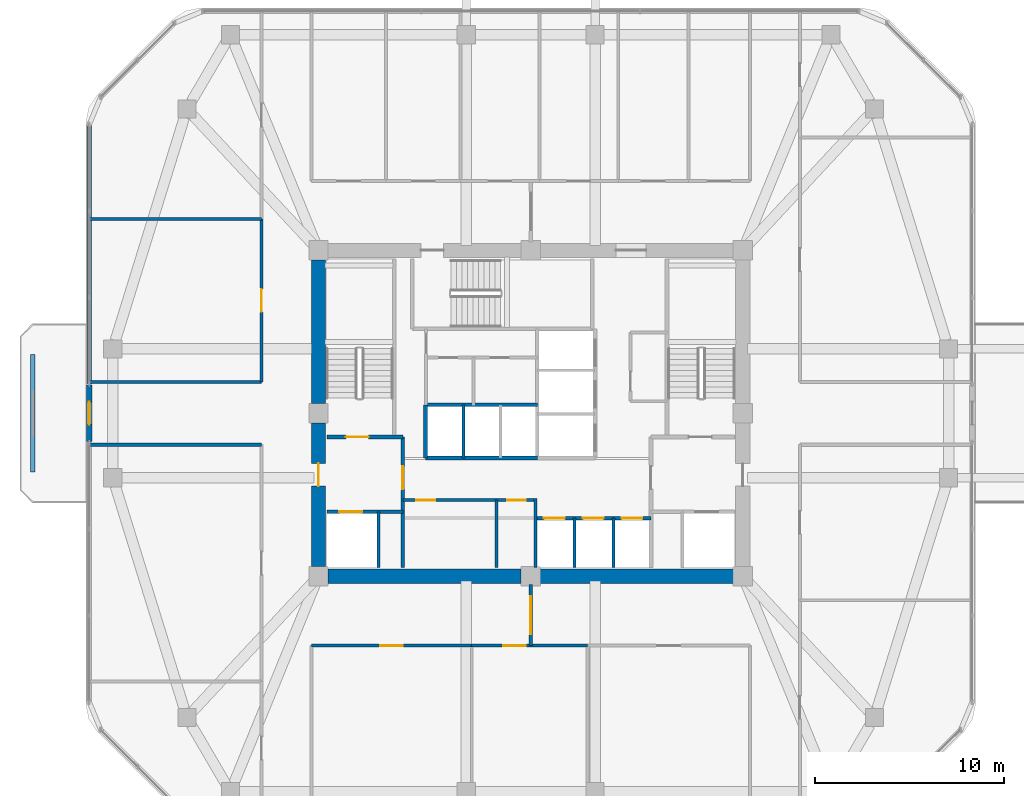
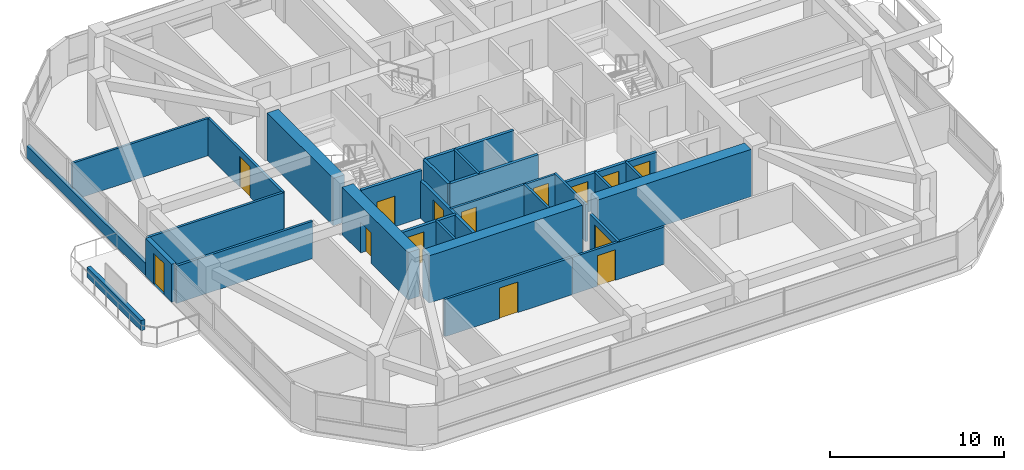
# One storey, part 8 of 13: 28 walls, 14 doors, 14 openings.
"""IFC4 building model written with IfcOpenShell, lengths in metres."""

from ifc_helpers import new_model, si_unit, derived_unit, direction, frame, frame_2d, origin, place, context, subcontext, project, spatial, rectangle, extrude, material, layer, layer_set, type_object, element, fill, save


model = new_model("IFC4")

# Units and contexts
model_context = context("Model", 3, precision=1e-05, world=origin(), true_north=direction((0.0, 1.0)))
body_context = subcontext(model_context, "Body", "Model", "MODEL_VIEW")
ifc_project = project(units=[si_unit("LENGTHUNIT", "METRE"), si_unit("AREAUNIT", "SQUARE_METRE"), si_unit("VOLUMEUNIT", "CUBIC_METRE"), si_unit("PLANEANGLEUNIT", "RADIAN"), si_unit("MASSUNIT", "GRAM", prefix="KILO"), derived_unit("THERMALTRANSMITTANCEUNIT", [(si_unit("POWERUNIT", "WATT"), 1), (si_unit("LENGTHUNIT", "METRE"), -2), (si_unit("THERMODYNAMICTEMPERATUREUNIT", "KELVIN"), -1)])], contexts=[model_context])

# Site, building, storey
site_placement = place(None, origin())
site = spatial("IfcSite", under=ifc_project, at=site_placement, CompositionType="ELEMENT")
building_placement = place(site_placement, origin())
building = spatial("IfcBuilding", under=site, at=building_placement, Name="Koralith Skygarden Medical Center", CompositionType="ELEMENT")
storey_placement = place(building_placement, frame((0.0, 0.0, 156.419921875)))
storey = spatial("IfcBuildingStorey", under=building, at=storey_placement, Name="L40", CompositionType="ELEMENT", Elevation=156.419921875)

# Wall, openings, doors
ifc_material_1 = material(Name="Gypsum Board Partition")
ifc_layer_1 = layer(ifc_material_1, 0.14990234375)
ifc_layer_set_1 = layer_set([ifc_layer_1], Name="Gypsum Board Partition")
wall_type_1 = type_object("IfcWallType", Name="Clinical Acoustic Partition 150", PredefinedType="PARTITIONING", material=ifc_layer_set_1)
wall_1_placement = place(storey_placement, frame((30.25, 21.320068359375, 0.0), z_axis=(0.0, 0.0, 1.0), x_axis=(1.0, 0.0, 0.0)))
wall_1 = element("IfcWall", 1, at=wall_1_placement, inside=storey, type_object=wall_type_1, Name="L40 Clinical Acoustic Partition 150 W-CORE-L40-FREED-LR-N", PredefinedType="PARTITIONING", context=body_context, shape_type="SweptSolid", body=[
    extrude(rectangle(XDim=7.0, YDim=0.14990234375, at=frame_2d((3.5, 0.0))), origin(), (0.0, 0.0, 1.0), 2.610107421875),
])
opening_1_placement = place(wall_1_placement, frame((0.699951171875, 0.0, 0.0)))
opening_1 = element("IfcOpeningElement", 2, at=opening_1_placement, cuts=wall_1, Name="Opening D-SUP", PredefinedType="OPENING", context=body_context, shape_type="SweptSolid", body=[
    extrude(rectangle(XDim=1.0, YDim=2.14990234375, at=frame_2d((0.5, 1.074951171875))), frame((0.0, 0.0849609375, 0.0), z_axis=(0.0, -1.0, 0.0), x_axis=(1.0, 0.0, 0.0)), (0.0, 0.0, 1.0), 0.169921875),
])
opening_2_placement = place(wall_1_placement, frame((5.5, 0.0, 0.0)))
opening_2 = element("IfcOpeningElement", 3, at=opening_2_placement, cuts=wall_1, Name="Opening D-SUP", PredefinedType="OPENING", context=body_context, shape_type="SweptSolid", body=[
    extrude(rectangle(XDim=1.0, YDim=2.14990234375, at=frame_2d((0.5, 1.074951171875))), frame((0.0, 0.0849609375, 0.0), z_axis=(0.0, -1.0, 0.0), x_axis=(1.0, 0.0, 0.0)), (0.0, 0.0, 1.0), 0.169921875),
])
ifc_material_2 = material(Name="Aluminium 6063-T6", Category="aluminium")
door_type_1 = type_object("IfcDoorType", Name="Clinical Support Door D-SUP 1000", OperationType="NOTDEFINED", PredefinedType="DOOR", material=ifc_material_2)
door_1_placement = place(opening_1_placement, frame((1.0, 0.0, 0.0), z_axis=(0.0, 0.0, 1.0), x_axis=(-1.0, 0.0, 0.0)))
door_1 = element("IfcDoor", 4, at=door_1_placement, inside=storey, type_object=door_type_1, Name="L40 Medication Preparation Door", OperationType="SINGLE_SWING_LEFT", OverallHeight=2.14990234375, OverallWidth=1.0, PredefinedType="DOOR", context=body_context, shape_type="SweptSolid", body=[
    extrude(rectangle(XDim=1.0, YDim=2.14990234375, at=frame_2d((0.5, 1.074951171875))), frame((0.0, 0.02490234375, 0.0), z_axis=(0.0, -1.0, 0.0), x_axis=(1.0, 0.0, 0.0)), (0.0, 0.0, 1.0), 0.050048828125),
])
fill(opening_1, door_1)
door_2_placement = place(opening_2_placement, frame((1.0, 0.0, 0.0), z_axis=(0.0, 0.0, 1.0), x_axis=(-1.0, 0.0, 0.0)))
door_2 = element("IfcDoor", 5, at=door_2_placement, inside=storey, type_object=door_type_1, Name="L40 Telemetry Room Door", OperationType="SINGLE_SWING_RIGHT", OverallHeight=2.14990234375, OverallWidth=1.0, PredefinedType="DOOR", context=body_context, shape_type="SweptSolid", body=[
    extrude(rectangle(XDim=1.0, YDim=2.14990234375, at=frame_2d((0.5, 1.074951171875))), frame((0.0, 0.02490234375, 0.0), z_axis=(0.0, -1.0, 0.0), x_axis=(1.0, 0.0, 0.0)), (0.0, 0.0, 1.0), 0.050048828125),
])
fill(opening_2, door_2)

# Walls
wall_2_placement = place(storey_placement, frame((35.199951171875, 17.75, 0.0), z_axis=(0.0, 0.0, 1.0), x_axis=(0.0, 1.0, 0.0)))
element("IfcWall", 6, at=wall_2_placement, inside=storey, type_object=wall_type_1, Name="L40 Clinical Acoustic Partition 150 W-CORE-L40-FREED-LR-M", PredefinedType="PARTITIONING", context=body_context, shape_type="SweptSolid", body=[
    extrude(rectangle(XDim=3.570068359375, YDim=0.14990234375, at=frame_2d((1.78515625, 0.0))), origin(), (0.0, 0.0, 1.0), 2.610107421875),
])
wall_3_placement = place(storey_placement, frame((22.7900390625, 36.157958984375, 0.0), z_axis=(0.0, 0.0, 1.0), x_axis=(-1.0, 0.0, 0.0)))
element("IfcWall", 7, at=wall_3_placement, inside=storey, type_object=wall_type_1, Name="L40 Clinical Acoustic Partition 150 W-PART-L40-WN-01", PredefinedType="PARTITIONING", context=body_context, shape_type="SweptSolid", body=[
    extrude(rectangle(XDim=9.073974609375, YDim=0.14990234375, at=frame_2d((4.537109375, 0.0))), origin(), (0.0, 0.0, 1.0), 2.610107421875),
])
ifc_layer_2 = layer(ifc_material_1, 0.1650390625)
ifc_layer_set_2 = layer_set([ifc_layer_2], Name="Gypsum Board Partition")
wall_type_2 = type_object("IfcWallType", Name="Clinical Corridor Partition 165", PredefinedType="PARTITIONING", material=ifc_layer_set_2)
for number, where, z_axis, x_axis, name in (
    (8, (13.716064453125, 24.239990234375, 0.0), (0.0, 0.0, 1.0), (1.0, 0.0, 0.0), "L40 Clinical Corridor Partition 165 W-HCOR-L40-EWS-W"),
    (9, (13.716064453125, 27.56005859375, 0.0), (0.0, 0.0, 1.0), (1.0, 0.0, 0.0), "L40 Clinical Corridor Partition 165 W-HCOR-L40-EWN-W"),
):
    element("IfcWall", number, at=place(storey_placement, frame(where, z_axis=z_axis, x_axis=x_axis)), inside=storey, type_object=wall_type_2, Name=name, PredefinedType="PARTITIONING", context=body_context, shape_type="SweptSolid", body=[
        extrude(rectangle(XDim=9.073974609375, YDim=0.1650390625, at=frame_2d((4.537109375, 0.0))), origin(), (0.0, 0.0, 1.0), 2.610107421875),
    ])

# Wall, opening, door
wall_4_placement = place(storey_placement, frame((25.429931640625, 13.639892578125, 0.0), z_axis=(0.0, 0.0, 1.0), x_axis=(1.0, 0.0, 0.0)))
wall_4 = element("IfcWall", 10, at=wall_4_placement, inside=storey, type_object=wall_type_2, Name="L40 Clinical Corridor Partition 165 W-CORR-L40-S-01", PredefinedType="PARTITIONING", context=body_context, shape_type="SweptSolid", body=[
    extrude(rectangle(XDim=8.4580078125, YDim=0.1650390625, at=frame_2d((4.22900390625, 0.0))), origin(), (0.0, 0.0, 1.0), 2.610107421875),
])
opening_3_placement = place(wall_4_placement, frame((3.62890625, 0.0, 0.0)))
opening_3 = element("IfcOpeningElement", 11, at=opening_3_placement, cuts=wall_4, Name="Opening D-CLN", PredefinedType="OPENING", context=body_context, shape_type="SweptSolid", body=[
    extrude(rectangle(XDim=1.199951171875, YDim=2.14990234375, at=frame_2d((0.60009765625, 1.074951171875))), frame((0.0, 0.092529296875, 0.0), z_axis=(0.0, -1.0, 0.0), x_axis=(1.0, 0.0, 0.0)), (0.0, 0.0, 1.0), 0.18505859375),
])
door_type_2 = type_object("IfcDoorType", Name="Clinical Corridor Door D-CLN 1200", OperationType="NOTDEFINED", PredefinedType="DOOR", material=ifc_material_2)
door_3_placement = place(opening_3_placement, frame((1.199951171875, 0.0, 0.0), z_axis=(0.0, 0.0, 1.0), x_axis=(-1.0, 0.0, 0.0)))
door_3 = element("IfcDoor", 12, at=door_3_placement, inside=storey, type_object=door_type_2, Name="L40 Renal Dietetics Classroom 07 Door", OperationType="SINGLE_SWING_RIGHT", OverallHeight=2.14990234375, OverallWidth=1.199951171875, PredefinedType="DOOR", context=body_context, shape_type="SweptSolid", body=[
    extrude(rectangle(XDim=1.199951171875, YDim=2.14990234375, at=frame_2d((0.60009765625, 1.074951171875))), frame((0.0, 0.02490234375, 0.0), z_axis=(0.0, -1.0, 0.0), x_axis=(1.0, 0.0, 0.0)), (0.0, 0.0, 1.0), 0.050048828125),
])
fill(opening_3, door_3)

wall_5_placement = place(storey_placement, frame((33.887939453125, 13.639892578125, 0.0), z_axis=(0.0, 0.0, 1.0), x_axis=(1.0, 0.0, 0.0)))
wall_5 = element("IfcWall", 13, at=wall_5_placement, inside=storey, type_object=wall_type_2, Name="L40 Clinical Corridor Partition 165 W-CORR-L40-S-02", PredefinedType="PARTITIONING", context=body_context, shape_type="SweptSolid", body=[
    extrude(rectangle(XDim=6.1181640625, YDim=0.1650390625, at=frame_2d((3.05908203125, 0.0))), origin(), (0.0, 0.0, 1.0), 2.610107421875),
])
opening_4_placement = place(wall_5_placement, frame((1.6640625, 0.0, 0.0)))
opening_4 = element("IfcOpeningElement", 14, at=opening_4_placement, cuts=wall_5, Name="Opening D-CLN", PredefinedType="OPENING", context=body_context, shape_type="SweptSolid", body=[
    extrude(rectangle(XDim=1.199951171875, YDim=2.14990234375, at=frame_2d((0.60009765625, 1.074951171875))), frame((0.0, 0.092529296875, 0.0), z_axis=(0.0, -1.0, 0.0), x_axis=(1.0, 0.0, 0.0)), (0.0, 0.0, 1.0), 0.18505859375),
])
door_4_placement = place(opening_4_placement, frame((1.199951171875, 0.0, 0.0), z_axis=(0.0, 0.0, 1.0), x_axis=(-1.0, 0.0, 0.0)))
door_4 = element("IfcDoor", 15, at=door_4_placement, inside=storey, type_object=door_type_2, Name="L40 Clinical Consultation Office 08 Door", OperationType="SINGLE_SWING_LEFT", OverallHeight=2.14990234375, OverallWidth=1.199951171875, PredefinedType="DOOR", context=body_context, shape_type="SweptSolid", body=[
    extrude(rectangle(XDim=1.199951171875, YDim=2.14990234375, at=frame_2d((0.60009765625, 1.074951171875))), frame((0.0, 0.02490234375, 0.0), z_axis=(0.0, -1.0, 0.0), x_axis=(1.0, 0.0, 0.0)), (0.0, 0.0, 1.0), 0.050048828125),
])
fill(opening_4, door_4)

wall_6_placement = place(storey_placement, frame((22.7900390625, 27.56005859375, 0.0), z_axis=(0.0, 0.0, 1.0), x_axis=(0.0, 1.0, 0.0)))
wall_6 = element("IfcWall", 16, at=wall_6_placement, inside=storey, type_object=wall_type_2, Name="L40 Clinical Corridor Partition 165 W-CORR-L40-WN-01", PredefinedType="PARTITIONING", context=body_context, shape_type="SweptSolid", body=[
    extrude(rectangle(XDim=8.597900390625, YDim=0.1650390625, at=frame_2d((4.298828125, 0.0))), origin(), (0.0, 0.0, 1.0), 2.610107421875),
])
opening_5_placement = place(wall_6_placement, frame((3.698974609375, 0.0, 0.0)))
opening_5 = element("IfcOpeningElement", 17, at=opening_5_placement, cuts=wall_6, Name="Opening D-CLN", PredefinedType="OPENING", context=body_context, shape_type="SweptSolid", body=[
    extrude(rectangle(XDim=1.199951171875, YDim=2.14990234375, at=frame_2d((0.60009765625, 1.074951171875))), frame((0.0, 0.092529296875, 0.0), z_axis=(0.0, -1.0, 0.0), x_axis=(1.0, 0.0, 0.0)), (0.0, 0.0, 1.0), 0.18505859375),
])
door_5_placement = place(opening_5_placement, frame((1.199951171875, 0.0, 0.0), z_axis=(0.0, 0.0, 1.0), x_axis=(-1.0, 0.0, 0.0)))
door_5 = element("IfcDoor", 18, at=door_5_placement, inside=storey, type_object=door_type_2, Name="L40 Clinical Consultation Office 12 Door", OperationType="SINGLE_SWING_LEFT", OverallHeight=2.14990234375, OverallWidth=1.199951171875, PredefinedType="DOOR", context=body_context, shape_type="SweptSolid", body=[
    extrude(rectangle(XDim=1.199951171875, YDim=2.14990234375, at=frame_2d((0.60009765625, 1.074951171875))), frame((0.0, 0.02490234375, 0.0), z_axis=(0.0, -1.0, 0.0), x_axis=(1.0, 0.0, 0.0)), (0.0, 0.0, 1.0), 0.050048828125),
])
fill(opening_5, door_5)

ifc_layer_3 = layer(ifc_material_1, 0.199951171875)
ifc_layer_set_3 = layer_set([ifc_layer_3], Name="Gypsum Board Partition")
wall_type_3 = type_object("IfcWallType", Name="Fire Shaft Wall 200", PredefinedType="SOLIDWALL", material=ifc_layer_set_3)
wall_7_placement = place(storey_placement, frame((26.25, 20.699951171875, 0.0), z_axis=(0.0, 0.0, 1.0), x_axis=(1.0, 0.0, 0.0)))
wall_7 = element("IfcWall", 19, at=wall_7_placement, inside=storey, type_object=wall_type_3, Name="L40 Fire Shaft Wall 200 W-CORE-L40-FF1-N", PredefinedType="SOLIDWALL", context=body_context, shape_type="SweptSolid", body=[
    extrude(rectangle(XDim=4.0, YDim=0.199951171875, at=frame_2d((2.0, 0.0))), origin(), (0.0, 0.0, 1.0), 2.610107421875),
])
opening_6_placement = place(wall_7_placement, frame((0.64990234375, 0.0, 0.0)))
opening_6 = element("IfcOpeningElement", 20, at=opening_6_placement, cuts=wall_7, Name="Opening LD-FF", PredefinedType="OPENING", context=body_context, shape_type="SweptSolid", body=[
    extrude(rectangle(XDim=1.199951171875, YDim=2.14990234375, at=frame_2d((0.60009765625, 1.074951171875))), frame((0.0, 0.10986328125, 0.0), z_axis=(0.0, -1.0, 0.0), x_axis=(1.0, 0.0, 0.0)), (0.0, 0.0, 1.0), 0.219970703125),
])
ifc_material_3 = material(Name="Steel ASTM A500 Grade C", Category="steel")
door_type_3 = type_object("IfcDoorType", Name="Fire Lift Sliding Landing Door LD-FF 1200", OperationType="NOTDEFINED", PredefinedType="DOOR", material=ifc_material_3)
door_6_placement = place(opening_6_placement, origin())
door_6 = element("IfcDoor", 21, at=door_6_placement, inside=storey, type_object=door_type_3, Name="L40 Fire Service Elevator FF1 Landing Door", OperationType="SLIDING_TO_LEFT", OverallHeight=2.14990234375, OverallWidth=1.199951171875, PredefinedType="DOOR", context=body_context, shape_type="SweptSolid", body=[
    extrude(rectangle(XDim=1.199951171875, YDim=2.14990234375, at=frame_2d((0.60009765625, 1.074951171875))), frame((0.0, 0.02490234375, 0.0), z_axis=(0.0, -1.0, 0.0), x_axis=(1.0, 0.0, 0.0)), (0.0, 0.0, 1.0), 0.050048828125),
])
fill(opening_6, door_6)

wall_8_placement = place(storey_placement, frame((30.25, 17.75, 0.0), z_axis=(0.0, 0.0, 1.0), x_axis=(0.0, 1.0, 0.0)))
wall_8 = element("IfcWall", 22, at=wall_8_placement, inside=storey, type_object=wall_type_3, Name="L40 Fire Shaft Wall 200 W-CORE-L40-FSAEW-E", PredefinedType="SOLIDWALL", context=body_context, shape_type="SweptSolid", body=[
    extrude(rectangle(XDim=6.89990234375, YDim=0.199951171875, at=frame_2d((3.449951171875, 0.0))), origin(), (0.0, 0.0, 1.0), 2.610107421875),
])
opening_7_placement = place(wall_8_placement, frame((4.14990234375, 0.0, 0.0)))
opening_7 = element("IfcOpeningElement", 23, at=opening_7_placement, cuts=wall_8, Name="Opening D-ST60", PredefinedType="OPENING", context=body_context, shape_type="SweptSolid", body=[
    extrude(rectangle(XDim=1.199951171875, YDim=2.14990234375, at=frame_2d((0.60009765625, 1.074951171875))), frame((0.0, 0.10986328125, 0.0), z_axis=(0.0, -1.0, 0.0), x_axis=(1.0, 0.0, 0.0)), (0.0, 0.0, 1.0), 0.219970703125),
])
door_type_4 = type_object("IfcDoorType", Name="Smokeproof Stair Fire Door FD60S 1200", OperationType="NOTDEFINED", PredefinedType="DOOR", material=ifc_material_3)
door_7_placement = place(opening_7_placement, origin())
door_7 = element("IfcDoor", 24, at=door_7_placement, inside=storey, type_object=door_type_4, Name="L40 West Firefighting Lobby Inner Fire Door", OperationType="SINGLE_SWING_LEFT", OverallHeight=2.14990234375, OverallWidth=1.199951171875, PredefinedType="DOOR", context=body_context, shape_type="SweptSolid", body=[
    extrude(rectangle(XDim=1.199951171875, YDim=2.14990234375, at=frame_2d((0.60009765625, 1.074951171875))), frame((0.0, 0.02490234375, 0.0), z_axis=(0.0, -1.0, 0.0), x_axis=(1.0, 0.0, 0.0)), (0.0, 0.0, 1.0), 0.050048828125),
])
fill(opening_7, door_7)

# Wall, openings, doors
wall_9_placement = place(storey_placement, frame((37.25, 20.360107421875, 0.0), z_axis=(0.0, 0.0, 1.0), x_axis=(1.0, 0.0, 0.0)))
wall_9 = element("IfcWall", 25, at=wall_9_placement, inside=storey, type_object=wall_type_3, Name="L40 Fire Shaft Wall 200 W-CORE-L40-PM-N", PredefinedType="SOLIDWALL", context=body_context, shape_type="SweptSolid", body=[
    extrude(rectangle(XDim=6.10009765625, YDim=0.199951171875, at=frame_2d((3.050048828125, 0.0))), origin(), (0.0, 0.0, 1.0), 2.610107421875),
])
opening_8_placement = place(wall_9_placement, frame((0.449951171875, 0.0, 0.0)))
opening_8 = element("IfcOpeningElement", 26, at=opening_8_placement, cuts=wall_9, Name="Opening LD-P", PredefinedType="OPENING", context=body_context, shape_type="SweptSolid", body=[
    extrude(rectangle(XDim=1.10009765625, YDim=2.14990234375, at=frame_2d((0.550048828125, 1.074951171875))), frame((0.0, 0.10986328125, 0.0), z_axis=(0.0, -1.0, 0.0), x_axis=(1.0, 0.0, 0.0)), (0.0, 0.0, 1.0), 0.219970703125),
])
opening_9_placement = place(wall_9_placement, frame((2.5, 0.0, 0.0)))
opening_9 = element("IfcOpeningElement", 27, at=opening_9_placement, cuts=wall_9, Name="Opening LD-P", PredefinedType="OPENING", context=body_context, shape_type="SweptSolid", body=[
    extrude(rectangle(XDim=1.10009765625, YDim=2.14990234375, at=frame_2d((0.550048828125, 1.074951171875))), frame((0.0, 0.10986328125, 0.0), z_axis=(0.0, -1.0, 0.0), x_axis=(1.0, 0.0, 0.0)), (0.0, 0.0, 1.0), 0.219970703125),
])
opening_10_placement = place(wall_9_placement, frame((4.550048828125, 0.0, 0.0)))
opening_10 = element("IfcOpeningElement", 28, at=opening_10_placement, cuts=wall_9, Name="Opening LD-P", PredefinedType="OPENING", context=body_context, shape_type="SweptSolid", body=[
    extrude(rectangle(XDim=1.10009765625, YDim=2.14990234375, at=frame_2d((0.550048828125, 1.074951171875))), frame((0.0, 0.10986328125, 0.0), z_axis=(0.0, -1.0, 0.0), x_axis=(1.0, 0.0, 0.0)), (0.0, 0.0, 1.0), 0.219970703125),
])
door_type_5 = type_object("IfcDoorType", Name="Passenger Lift Sliding Landing Door LD-P 1100", OperationType="NOTDEFINED", PredefinedType="DOOR", material=ifc_material_3)
door_8_placement = place(opening_8_placement, origin())
door_8 = element("IfcDoor", 29, at=door_8_placement, inside=storey, type_object=door_type_5, Name="L40 Passenger Elevator PM1 Landing Door", OperationType="SLIDING_TO_LEFT", OverallHeight=2.14990234375, OverallWidth=1.10009765625, PredefinedType="DOOR", context=body_context, shape_type="SweptSolid", body=[
    extrude(rectangle(XDim=1.10009765625, YDim=2.14990234375, at=frame_2d((0.550048828125, 1.074951171875))), frame((0.0, 0.02490234375, 0.0), z_axis=(0.0, -1.0, 0.0), x_axis=(1.0, 0.0, 0.0)), (0.0, 0.0, 1.0), 0.050048828125),
])
fill(opening_8, door_8)
door_9_placement = place(opening_9_placement, origin())
door_9 = element("IfcDoor", 30, at=door_9_placement, inside=storey, type_object=door_type_5, Name="L40 Passenger Elevator PM2 Landing Door", OperationType="SLIDING_TO_LEFT", OverallHeight=2.14990234375, OverallWidth=1.10009765625, PredefinedType="DOOR", context=body_context, shape_type="SweptSolid", body=[
    extrude(rectangle(XDim=1.10009765625, YDim=2.14990234375, at=frame_2d((0.550048828125, 1.074951171875))), frame((0.0, 0.02490234375, 0.0), z_axis=(0.0, -1.0, 0.0), x_axis=(1.0, 0.0, 0.0)), (0.0, 0.0, 1.0), 0.050048828125),
])
fill(opening_9, door_9)
door_10_placement = place(opening_10_placement, origin())
door_10 = element("IfcDoor", 31, at=door_10_placement, inside=storey, type_object=door_type_5, Name="L40 Passenger Elevator PM3 Landing Door", OperationType="SLIDING_TO_LEFT", OverallHeight=2.14990234375, OverallWidth=1.10009765625, PredefinedType="DOOR", context=body_context, shape_type="SweptSolid", body=[
    extrude(rectangle(XDim=1.10009765625, YDim=2.14990234375, at=frame_2d((0.550048828125, 1.074951171875))), frame((0.0, 0.02490234375, 0.0), z_axis=(0.0, -1.0, 0.0), x_axis=(1.0, 0.0, 0.0)), (0.0, 0.0, 1.0), 0.050048828125),
])
fill(opening_10, door_10)

# Walls
for number, where, z_axis, x_axis, name in (
    (32, (31.449951171875, 23.5400390625, 0.0), (0.0, 0.0, 1.0), (1.0, 0.0, 0.0), "L40 Fire Shaft Wall 200 W-CORE-L40-PH-S"),
    (33, (31.449951171875, 26.35009765625, 0.0), (0.0, 0.0, 1.0), (1.0, 0.0, 0.0), "L40 Fire Shaft Wall 200 W-CORE-L40-PH-N"),
):
    element("IfcWall", number, at=place(storey_placement, frame(where, z_axis=z_axis, x_axis=x_axis)), inside=storey, type_object=wall_type_3, Name=name, PredefinedType="SOLIDWALL", context=body_context, shape_type="SweptSolid", body=[
        extrude(rectangle(XDim=5.900146484375, YDim=0.199951171875, at=frame_2d((2.9501953125, 0.0))), origin(), (0.0, 0.0, 1.0), 2.610107421875),
    ])
wall_10_placement = place(storey_placement, frame((31.449951171875, 23.5400390625, 0.0), z_axis=(0.0, 0.0, 1.0), x_axis=(0.0, 1.0, 0.0)))
element("IfcWall", 34, at=wall_10_placement, inside=storey, type_object=wall_type_3, Name="L40 Fire Shaft Wall 200 W-CORE-L40-PH-W", PredefinedType="SOLIDWALL", context=body_context, shape_type="SweptSolid", body=[
    extrude(rectangle(XDim=2.81005859375, YDim=0.199951171875, at=frame_2d((1.405029296875, 0.0))), origin(), (0.0, 0.0, 1.0), 2.610107421875),
])

# Wall, opening, door
ifc_layer_4 = layer(ifc_material_1, 0.179931640625)
ifc_layer_set_4 = layer_set([ifc_layer_4], Name="Gypsum Board Partition")
wall_type_4 = type_object("IfcWallType", Name="Group I-2 Smoke Barrier Wall 180", PredefinedType="PARTITIONING", material=ifc_layer_set_4)
wall_11_placement = place(storey_placement, frame((37.0, 13.639892578125, 0.0), z_axis=(0.0, 0.0, 1.0), x_axis=(0.0, 1.0, 0.0)))
wall_11 = element("IfcWall", 35, at=wall_11_placement, inside=storey, type_object=wall_type_4, Name="L40 Group I-2 Smoke Barrier Wall 180 W-SMK-L40-S", PredefinedType="PARTITIONING", context=body_context, shape_type="SweptSolid", body=[
    extrude(rectangle(XDim=3.210205078125, YDim=0.179931640625, at=frame_2d((1.60498046875, 0.0))), origin(), (0.0, 0.0, 1.0), 2.610107421875),
])
opening_11_placement = place(wall_11_placement, frame((0.60498046875, 0.0, 0.0)))
opening_11 = element("IfcOpeningElement", 36, at=opening_11_placement, cuts=wall_11, Name="Opening D-SMK", PredefinedType="OPENING", context=body_context, shape_type="SweptSolid", body=[
    extrude(rectangle(XDim=2.0, YDim=2.199951171875, at=frame_2d((1.0, 1.10009765625))), frame((0.0, 0.099853515625, 0.0), z_axis=(0.0, -1.0, 0.0), x_axis=(1.0, 0.0, 0.0)), (0.0, 0.0, 1.0), 0.199951171875),
])
door_type_6 = type_object("IfcDoorType", Name="Cross-Corridor Double Smoke Door FD60S 2000", OperationType="NOTDEFINED", PredefinedType="DOOR", material=ifc_material_3)
door_11_placement = place(opening_11_placement, frame((2.0, 0.0, 0.0), z_axis=(0.0, 0.0, 1.0), x_axis=(-1.0, 0.0, 0.0)))
door_11 = element("IfcDoor", 37, at=door_11_placement, inside=storey, type_object=door_type_6, Name="L40 S Smoke Compartment Cross-Corridor Door", OperationType="DOUBLE_DOOR_SINGLE_SWING", OverallHeight=2.199951171875, OverallWidth=2.0, PredefinedType="DOOR", context=body_context, shape_type="SweptSolid", body=[
    extrude(rectangle(XDim=2.0, YDim=2.199951171875, at=frame_2d((1.0, 1.10009765625))), frame((0.0, 0.02490234375, 0.0), z_axis=(0.0, -1.0, 0.0), x_axis=(1.0, 0.0, 0.0)), (0.0, 0.0, 1.0), 0.050048828125),
])
fill(opening_11, door_11)

# Walls
ifc_material_4 = material(Name="Warm Oolitic Limestone Cladding", Category="masonry")
ifc_layer_5 = layer(ifc_material_4, 0.239990234375)
ifc_layer_set_5 = layer_set([ifc_layer_5], Name="Warm Oolitic Limestone Cladding")
wall_type_5 = type_object("IfcWallType", Name="Limestone Spandrel Sill Backup Wall 240", PredefinedType="SOLIDWALL", material=ifc_layer_set_5)
wall_12_placement = place(storey_placement, frame((13.696044921875, 41.14501953125, 0.0), z_axis=(0.0, 0.0, 1.0), x_axis=(0.0, -1.0, 0.0)))
element("IfcWall", 38, at=wall_12_placement, inside=storey, type_object=wall_type_5, Name="L40 Sill Spandrel W-L", PredefinedType="SOLIDWALL", context=body_context, shape_type="SweptSolid", body=[
    extrude(rectangle(XDim=13.705078125, YDim=0.239990234375, at=frame_2d((6.8525390625, 0.0))), origin(), (0.0, 0.0, 1.0), 0.85009765625),
])
ifc_material_5 = material(Name="Concrete C70/85", Category="concrete")
ifc_layer_6 = layer(ifc_material_5, 0.75)
ifc_layer_set_6 = layer_set([ifc_layer_6], Name="Concrete C70/85")
wall_type_6 = type_object("IfcWallType", Name="Mid Core Shear Wall 750", PredefinedType="SHEAR", material=ifc_layer_set_6)
for number, where, z_axis, x_axis, name in (
    (39, (26.304931640625, 17.300048828125, 0.0), (0.0, 0.0, 1.0), (1.0, 0.0, 0.0), "L40 Core Shear Wall Segment 1"),
    (40, (37.5048828125, 17.300048828125, 0.0), (0.0, 0.0, 1.0), (1.0, 0.0, 0.0), "L40 Core Shear Wall Segment 2"),
):
    element("IfcWall", number, at=place(storey_placement, frame(where, z_axis=z_axis, x_axis=x_axis)), inside=storey, type_object=wall_type_6, Name=name, PredefinedType="SHEAR", context=body_context, shape_type="SweptSolid", body=[
        extrude(rectangle(XDim=10.190185546875, YDim=0.75, at=frame_2d((5.09521484375, 0.0))), origin(), (0.0, 0.0, 1.0), 3.320068359375),
    ])
wall_13_placement = place(storey_placement, frame((25.800048828125, 33.9951171875, 0.0), z_axis=(0.0, 0.0, 1.0), x_axis=(0.0, -1.0, 0.0)))
element("IfcWall", 41, at=wall_13_placement, inside=storey, type_object=wall_type_6, Name="L40 Core Shear Wall Segment 7", PredefinedType="SHEAR", context=body_context, shape_type="SweptSolid", body=[
    extrude(rectangle(XDim=7.590087890625, YDim=0.75, at=frame_2d((3.794921875, 0.0))), origin(), (0.0, 0.0, 1.0), 3.320068359375),
])

# Wall, opening, door
wall_14_placement = place(storey_placement, frame((25.800048828125, 25.39501953125, 0.0), z_axis=(0.0, 0.0, 1.0), x_axis=(0.0, -1.0, 0.0)))
wall_14 = element("IfcWall", 42, at=wall_14_placement, inside=storey, type_object=wall_type_6, Name="L40 Core Shear Wall Segment 8", PredefinedType="SHEAR", context=body_context, shape_type="SweptSolid", body=[
    extrude(rectangle(XDim=7.590087890625, YDim=0.75, at=frame_2d((3.794921875, 0.0))), origin(), (0.0, 0.0, 1.0), 3.320068359375),
])
opening_12_placement = place(wall_14_placement, frame((2.14501953125, 0.0, 0.0)))
opening_12 = element("IfcOpeningElement", 43, at=opening_12_placement, cuts=wall_14, Name="Opening D-ST60", PredefinedType="OPENING", context=body_context, shape_type="SweptSolid", body=[
    extrude(rectangle(XDim=1.199951171875, YDim=2.14990234375, at=frame_2d((0.60009765625, 1.074951171875))), frame((0.0, 0.385009765625, 0.0), z_axis=(0.0, -1.0, 0.0), x_axis=(1.0, 0.0, 0.0)), (0.0, 0.0, 1.0), 0.77001953125),
])
door_12_placement = place(opening_12_placement, frame((1.199951171875, 0.0, 0.0), z_axis=(0.0, 0.0, 1.0), x_axis=(-1.0, 0.0, 0.0)))
door_12 = element("IfcDoor", 44, at=door_12_placement, inside=storey, type_object=door_type_4, Name="L40 West Corridor to Firefighting Lobby Door", OperationType="SINGLE_SWING_LEFT", OverallHeight=2.14990234375, OverallWidth=1.199951171875, PredefinedType="DOOR", context=body_context, shape_type="SweptSolid", body=[
    extrude(rectangle(XDim=1.199951171875, YDim=2.14990234375, at=frame_2d((0.60009765625, 1.074951171875))), frame((0.0, 0.02490234375, 0.0), z_axis=(0.0, -1.0, 0.0), x_axis=(1.0, 0.0, 0.0)), (0.0, 0.0, 1.0), 0.050048828125),
])
fill(opening_12, door_12)

ifc_layer_7 = layer(ifc_material_4, 0.300048828125)
ifc_layer_set_7 = layer_set([ifc_layer_7], Name="Warm Oolitic Limestone Cladding")
wall_type_7 = type_object("IfcWallType", Name="Oolitic Limestone Insulated Facade Wall 300", PredefinedType="SOLIDWALL", material=ifc_layer_set_7)
wall_15_placement = place(storey_placement, frame((13.696044921875, 27.39990234375, 0.0), z_axis=(0.0, 0.0, 1.0), x_axis=(0.0, -1.0, 0.0)))
wall_15 = element("IfcWall", 45, at=wall_15_placement, inside=storey, type_object=wall_type_7, Name="L40 Terrace Portal Wall W", PredefinedType="SOLIDWALL", context=body_context, shape_type="SweptSolid", body=[
    extrude(rectangle(XDim=3.0, YDim=0.300048828125, at=frame_2d((1.5, 0.0))), origin(), (0.0, 0.0, 1.0), 2.670166015625),
])
opening_13_placement = place(wall_15_placement, frame((0.89990234375, 0.0, 0.0)))
opening_13 = element("IfcOpeningElement", 46, at=opening_13_placement, cuts=wall_15, Name="Opening D-BAL", PredefinedType="OPENING", context=body_context, shape_type="SweptSolid", body=[
    extrude(rectangle(XDim=1.199951171875, YDim=2.199951171875, at=frame_2d((0.60009765625, 1.10009765625))), frame((0.0, 0.159912109375, 0.0), z_axis=(0.0, -1.0, 0.0), x_axis=(1.0, 0.0, 0.0)), (0.0, 0.0, 1.0), 0.320068359375),
])
door_type_7 = type_object("IfcDoorType", Name="Planted Balcony Glazed Terrace Door D-BAL 1200", OperationType="NOTDEFINED", PredefinedType="DOOR", material=ifc_material_2)
door_13_placement = place(opening_13_placement, origin())
door_13 = element("IfcDoor", 47, at=door_13_placement, inside=storey, type_object=door_type_7, Name="L40 W Outdoor Terrace Access Door", OperationType="SINGLE_SWING_LEFT", OverallHeight=2.199951171875, OverallWidth=1.199951171875, PredefinedType="DOOR", context=body_context, shape_type="SweptSolid", body=[
    extrude(rectangle(XDim=1.199951171875, YDim=2.199951171875, at=frame_2d((0.60009765625, 1.10009765625))), frame((0.0, 0.02490234375, 0.0), z_axis=(0.0, -1.0, 0.0), x_axis=(1.0, 0.0, 0.0)), (0.0, 0.0, 1.0), 0.050048828125),
])
fill(opening_13, door_13)

# Walls
ifc_layer_8 = layer(ifc_material_1, 0.14990234375)
ifc_layer_set_8 = layer_set([ifc_layer_8], Name="Gypsum Board Partition")
wall_type_8 = type_object("IfcWallType", Name="Shaft Partition Wall 150", PredefinedType="PARTITIONING", material=ifc_layer_set_8)
wall_16_placement = place(storey_placement, frame((28.969970703125, 17.75, 0.0), z_axis=(0.0, 0.0, 1.0), x_axis=(0.0, 1.0, 0.0)))
element("IfcWall", 48, at=wall_16_placement, inside=storey, type_object=wall_type_8, Name="L40 Shaft Partition Wall 150 W-CORE-L40-RSRW-DIV", PredefinedType="PARTITIONING", context=body_context, shape_type="SweptSolid", body=[
    extrude(rectangle(XDim=2.949951171875, YDim=0.14990234375, at=frame_2d((1.47509765625, 0.0))), origin(), (0.0, 0.0, 1.0), 2.610107421875),
])
for number, where, z_axis, x_axis, name in (
    (49, (39.320068359375, 17.75, 0.0), (0.0, 0.0, 1.0), (0.0, 1.0, 0.0), "L40 Shaft Partition Wall 150 W-CORE-L40-PM-D1"),
    (50, (41.3701171875, 17.75, 0.0), (0.0, 0.0, 1.0), (0.0, 1.0, 0.0), "L40 Shaft Partition Wall 150 W-CORE-L40-PM-D2"),
):
    element("IfcWall", number, at=place(storey_placement, frame(where, z_axis=z_axis, x_axis=x_axis)), inside=storey, type_object=wall_type_8, Name=name, PredefinedType="PARTITIONING", context=body_context, shape_type="SweptSolid", body=[
        extrude(rectangle(XDim=2.610107421875, YDim=0.14990234375, at=frame_2d((1.30517578125, 0.0))), origin(), (0.0, 0.0, 1.0), 2.610107421875),
    ])
wall_17_placement = place(storey_placement, frame((37.25, 17.75, 0.0), z_axis=(0.0, 0.0, 1.0), x_axis=(0.0, 1.0, 0.0)))
element("IfcWall", 51, at=wall_17_placement, inside=storey, type_object=wall_type_8, Name="L40 Shaft Partition Wall 150 W-CORE-L40-PL-PM-SEP", PredefinedType="PARTITIONING", context=body_context, shape_type="SweptSolid", body=[
    extrude(rectangle(XDim=3.64990234375, YDim=0.14990234375, at=frame_2d((1.824951171875, 0.0))), origin(), (0.0, 0.0, 1.0), 2.610107421875),
])
wall_18_placement = place(storey_placement, frame((33.449951171875, 23.5400390625, 0.0), z_axis=(0.0, 0.0, 1.0), x_axis=(0.0, 1.0, 0.0)))
element("IfcWall", 52, at=wall_18_placement, inside=storey, type_object=wall_type_8, Name="L40 Shaft Partition Wall 150 W-CORE-L40-PH-D1", PredefinedType="PARTITIONING", context=body_context, shape_type="SweptSolid", body=[
    extrude(rectangle(XDim=2.81005859375, YDim=0.14990234375, at=frame_2d((1.405029296875, 0.0))), origin(), (0.0, 0.0, 1.0), 2.610107421875),
])
ifc_material_6 = material(Name="Precast concrete C40/50", Category="concrete")
ifc_layer_9 = layer(ifc_material_6, 0.25)
ifc_layer_set_9 = layer_set([ifc_layer_9], Name="Precast concrete C40/50")
wall_type_9 = type_object("IfcWallType", Name="Structural Concrete Balcony Planter Kerb 250", PredefinedType="PARAPET", material=ifc_layer_set_9)
wall_19_placement = place(storey_placement, frame((10.716064453125, 22.800048828125, 0.0), z_axis=(0.0, 0.0, 1.0), x_axis=(0.0, 1.0, 0.0)))
element("IfcWall", 53, at=wall_19_placement, inside=storey, type_object=wall_type_9, Name="L40 W Structural Tree PLANTER Box", PredefinedType="PARAPET", context=body_context, shape_type="SweptSolid", body=[
    extrude(rectangle(XDim=6.199951171875, YDim=0.25, at=frame_2d((3.10009765625, 0.0))), origin(), (0.0, 0.0, 1.0), 0.719970703125),
])

# Wall, opening, door
ifc_material_7 = material(Name="Concrete C45/55", Category="concrete")
ifc_layer_10 = layer(ifc_material_7, 0.199951171875)
ifc_layer_set_10 = layer_set([ifc_layer_10], Name="Concrete C45/55")
wall_type_10 = type_object("IfcWallType", Name="Structural Stair Shaft Wall 200", PredefinedType="SHEAR", material=ifc_layer_set_10)
wall_20_placement = place(storey_placement, frame((26.25, 24.64990234375, 0.0), z_axis=(0.0, 0.0, 1.0), x_axis=(1.0, 0.0, 0.0)))
wall_20 = element("IfcWall", 54, at=wall_20_placement, inside=storey, type_object=wall_type_10, Name="L40 Structural Stair Shaft Wall 200 W-CORE-L40-ST1-S", PredefinedType="SHEAR", context=body_context, shape_type="SweptSolid", body=[
    extrude(rectangle(XDim=4.0, YDim=0.199951171875, at=frame_2d((2.0, 0.0))), origin(), (0.0, 0.0, 1.0), 3.320068359375),
])
opening_14_placement = place(wall_20_placement, frame((1.0, 0.0, 0.0)))
opening_14 = element("IfcOpeningElement", 55, at=opening_14_placement, cuts=wall_20, Name="Opening D-ST60", PredefinedType="OPENING", context=body_context, shape_type="SweptSolid", body=[
    extrude(rectangle(XDim=1.199951171875, YDim=2.14990234375, at=frame_2d((0.60009765625, 1.074951171875))), frame((0.0, 0.10986328125, 0.0), z_axis=(0.0, -1.0, 0.0), x_axis=(1.0, 0.0, 0.0)), (0.0, 0.0, 1.0), 0.219970703125),
])
door_14_placement = place(opening_14_placement, origin())
door_14 = element("IfcDoor", 56, at=door_14_placement, inside=storey, type_object=door_type_4, Name="L40 Exit Stair ST1 Fire Door", OperationType="SINGLE_SWING_LEFT", OverallHeight=2.14990234375, OverallWidth=1.199951171875, PredefinedType="DOOR", context=body_context, shape_type="SweptSolid", body=[
    extrude(rectangle(XDim=1.199951171875, YDim=2.14990234375, at=frame_2d((0.60009765625, 1.074951171875))), frame((0.0, 0.02490234375, 0.0), z_axis=(0.0, -1.0, 0.0), x_axis=(1.0, 0.0, 0.0)), (0.0, 0.0, 1.0), 0.050048828125),
])
fill(opening_14, door_14)

save(model, "model.ifc")
